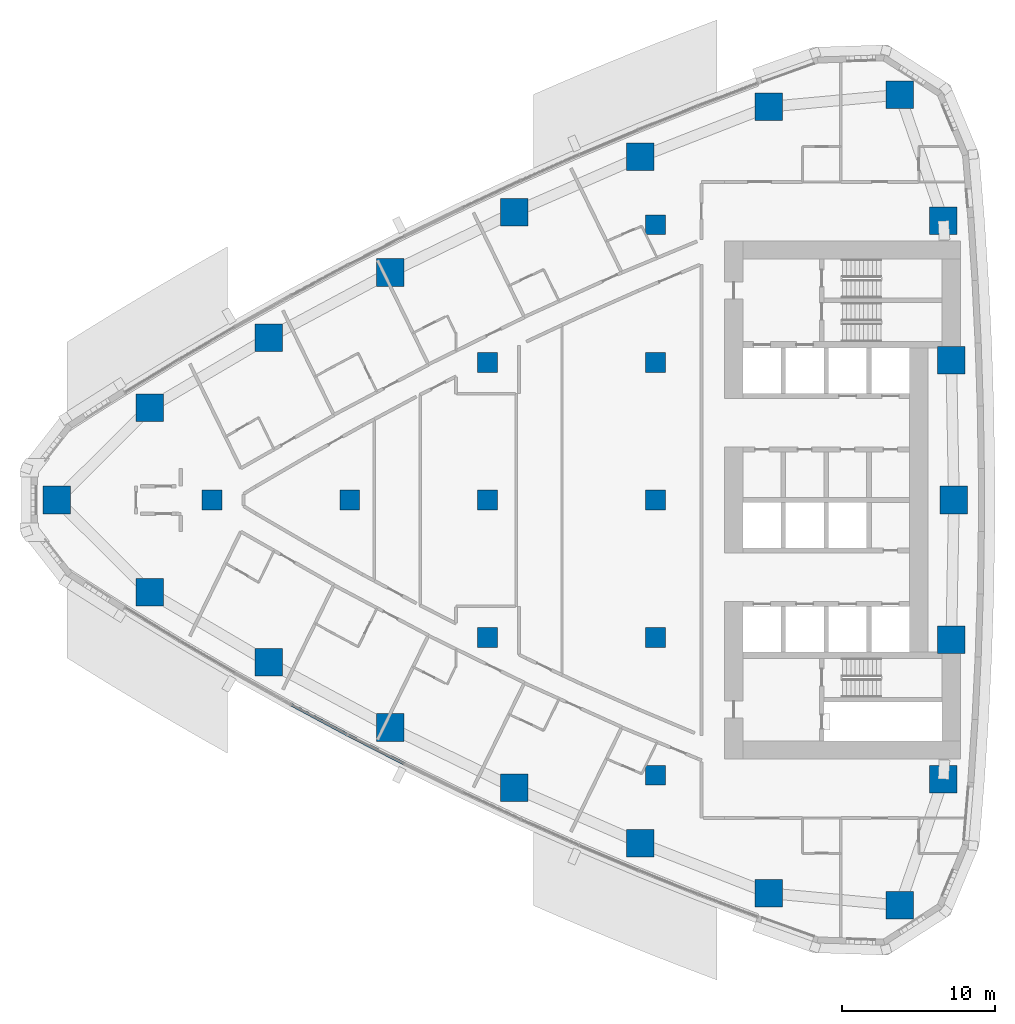
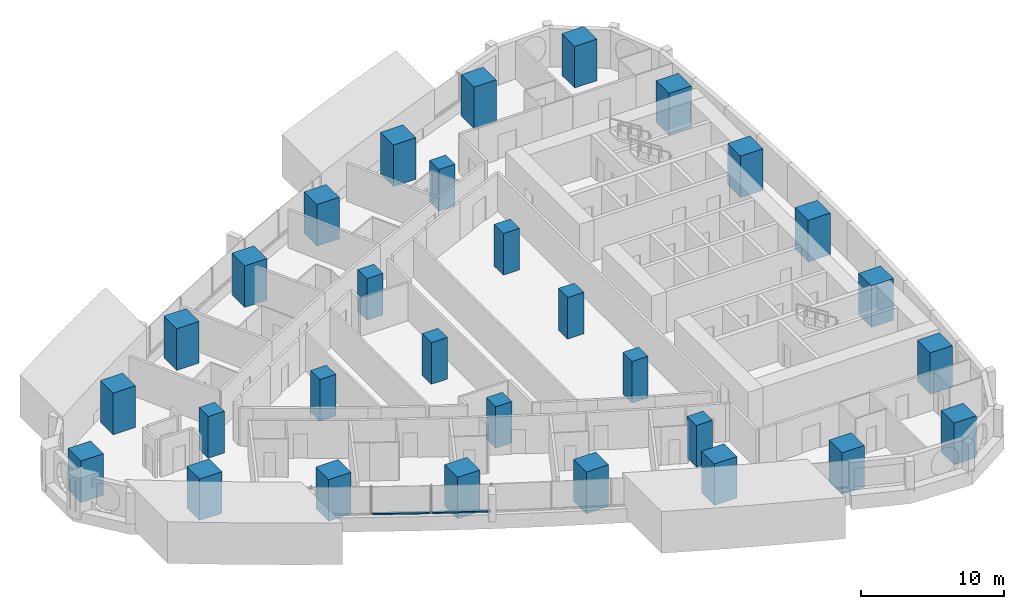
# One storey, part 1 of 19: 30 columns, 2 members, 1 element without a shape of its own.
"""IFC4 building model written with IfcOpenShell, lengths in metres."""

from ifc_helpers import new_model, si_unit, direction, frame, origin, origin_2d, place, context, subcontext, project, spatial, rectangle, extrude, material, layer, layer_set, material_profile, profile_set, type_object, element, aggregate, save


model = new_model("IFC4")

# Units and contexts
model_context = context("Model", 3, precision=1e-05, world=origin(), true_north=direction((0.0, 1.0)))
body_context = subcontext(model_context, "Body", "Model", "MODEL_VIEW")
ifc_project = project(units=[si_unit("LENGTHUNIT", "METRE"), si_unit("AREAUNIT", "SQUARE_METRE"), si_unit("VOLUMEUNIT", "CUBIC_METRE"), si_unit("PLANEANGLEUNIT", "RADIAN"), si_unit("MASSUNIT", "GRAM", prefix="KILO")], contexts=[model_context])

# Site, building, storey
site_placement = place(None, origin())
site = spatial("IfcSite", under=ifc_project, at=site_placement, CompositionType="ELEMENT")
building_placement = place(site_placement, origin())
building = spatial("IfcBuilding", under=site, at=building_placement, Name="Ostrand Prow Hotel Tower", CompositionType="ELEMENT")
storey_placement = place(building_placement, frame((0.0, 0.0, 68.0)))
storey = spatial("IfcBuildingStorey", under=building, at=storey_placement, Name="L15", CompositionType="ELEMENT", Elevation=68.0)

# Columns
ifc_material_1 = material(Name="Concrete C80/95", Category="concrete")
ifc_material_profile_1 = material_profile(ifc_material_1, rectangle(XDim=1.300048828125, YDim=1.300048828125, at=origin_2d()), Name="RC 1300x1300")
ifc_profile_set_1 = profile_set([ifc_material_profile_1], Name="Concrete C80/95")
column_type_1 = type_object("IfcColumnType", Name="Interior column 1300x1300 C80/95", PredefinedType="COLUMN", material=ifc_profile_set_1)
for number, where, z_axis, x_axis, name in (
    (1, (16.0, 0.0, 0.0), (0.0, 0.0, 1.0), (1.0, 0.0, 0.0), "Interior column 16C0"),
    (2, (25.0, 0.0, 0.0), (0.0, 0.0, 1.0), (1.0, 0.0, 0.0), "Interior column 25C0"),
    (3, (34.0, -9.0, 0.0), (0.0, 0.0, 1.0), (1.0, 0.0, 0.0), "Interior column 34S9"),
    (4, (34.0, 0.0, 0.0), (0.0, 0.0, 1.0), (1.0, 0.0, 0.0), "Interior column 34C0"),
    (5, (34.0, 9.0, 0.0), (0.0, 0.0, 1.0), (1.0, 0.0, 0.0), "Interior column 34N9"),
    (6, (45.0, -18.0, 0.0), (0.0, 0.0, 1.0), (1.0, 0.0, 0.0), "Interior column 45S18"),
    (7, (45.0, -9.0, 0.0), (0.0, 0.0, 1.0), (1.0, 0.0, 0.0), "Interior column 45S9"),
    (8, (45.0, 0.0, 0.0), (0.0, 0.0, 1.0), (1.0, 0.0, 0.0), "Interior column 45C0"),
    (9, (45.0, 9.0, 0.0), (0.0, 0.0, 1.0), (1.0, 0.0, 0.0), "Interior column 45N9"),
    (10, (45.0, 18.0, 0.0), (0.0, 0.0, 1.0), (1.0, 0.0, 0.0), "Interior column 45N18"),
):
    element("IfcColumn", number, at=place(storey_placement, frame(where, z_axis=z_axis, x_axis=x_axis)), inside=storey, type_object=column_type_1, Name=name, PredefinedType="COLUMN", context=body_context, shape_type="SweptSolid", body=[
        extrude(rectangle(XDim=1.300048828125, YDim=1.300048828125, at=origin_2d()), origin(), (0.0, 0.0, 1.0), 3.550048828125),
    ])
ifc_material_2 = material(Name="Concrete C80/95", Category="concrete")
ifc_material_profile_2 = material_profile(ifc_material_2, rectangle(XDim=1.800048828125, YDim=1.800048828125, at=origin_2d()), Name="RC 1800x1800")
ifc_profile_set_2 = profile_set([ifc_material_profile_2], Name="Concrete C80/95")
column_type_2 = type_object("IfcColumnType", Name="Stone-faced mega column 1800x1800 C80/95", PredefinedType="COLUMN", material=ifc_profile_set_2)
for number, where, z_axis, x_axis, name in (
    (11, (5.848388671875, 0.0, 0.0), (0.0, 0.0, 1.0), (1.0, 0.0, 0.0), "Mega column P"),
    (12, (11.926513671875, -6.0419921875, 0.0), (0.0, 0.0, 1.0), (1.0, 0.0, 0.0), "Mega column S1"),
    (13, (19.69287109375, -10.61474609375, 0.0), (0.0, 0.0, 1.0), (1.0, 0.0, 0.0), "Mega column S2"),
    (14, (27.635498046875, -14.874267578125, 0.0), (0.0, 0.0, 1.0), (1.0, 0.0, 0.0), "Mega column S3"),
    (15, (35.7412109375, -18.814208984375, 0.0), (0.0, 0.0, 1.0), (1.0, 0.0, 0.0), "Mega column S4"),
    (16, (43.997802734375, -22.427978515625, 0.0), (0.0, 0.0, 1.0), (1.0, 0.0, 0.0), "Mega column S5"),
    (17, (52.3916015625, -25.710205078125, 0.0), (0.0, 0.0, 1.0), (1.0, 0.0, 0.0), "Mega column S6"),
    (18, (60.966064453125, -26.49853515625, 0.0), (0.0, 0.0, 1.0), (1.0, 0.0, 0.0), "Mega column SE"),
    (19, (63.8134765625, -18.248779296875, 0.0), (0.0, 0.0, 1.0), (1.0, 0.0, 0.0), "Mega column B1"),
    (20, (64.328369140625, -9.130859375, 0.0), (0.0, 0.0, 1.0), (1.0, 0.0, 0.0), "Mega column B2"),
    (21, (64.5, 0.0, 0.0), (0.0, 0.0, 1.0), (1.0, 0.0, 0.0), "Mega column B3"),
    (22, (64.328369140625, 9.130859375, 0.0), (0.0, 0.0, 1.0), (1.0, 0.0, 0.0), "Mega column B4"),
    (23, (63.8134765625, 18.248779296875, 0.0), (0.0, 0.0, 1.0), (1.0, 0.0, 0.0), "Mega column B5"),
    (24, (60.966064453125, 26.49853515625, 0.0), (0.0, 0.0, 1.0), (1.0, 0.0, 0.0), "Mega column NE"),
    (25, (52.3916015625, 25.710205078125, 0.0), (0.0, 0.0, 1.0), (1.0, 0.0, 0.0), "Mega column N1"),
    (26, (43.997802734375, 22.427978515625, 0.0), (0.0, 0.0, 1.0), (1.0, 0.0, 0.0), "Mega column N2"),
    (27, (35.7412109375, 18.814208984375, 0.0), (0.0, 0.0, 1.0), (1.0, 0.0, 0.0), "Mega column N3"),
    (28, (27.635498046875, 14.874267578125, 0.0), (0.0, 0.0, 1.0), (1.0, 0.0, 0.0), "Mega column N4"),
    (29, (19.69287109375, 10.61474609375, 0.0), (0.0, 0.0, 1.0), (1.0, 0.0, 0.0), "Mega column N5"),
    (30, (11.926513671875, 6.0419921875, 0.0), (0.0, 0.0, 1.0), (1.0, 0.0, 0.0), "Mega column N6"),
):
    element("IfcColumn", number, at=place(storey_placement, frame(where, z_axis=z_axis, x_axis=x_axis)), inside=storey, type_object=column_type_2, Name=name, PredefinedType="COLUMN", context=body_context, shape_type="SweptSolid", body=[
        extrude(rectangle(XDim=1.800048828125, YDim=1.800048828125, at=origin_2d()), origin(), (0.0, 0.0, 1.0), 3.550048828125),
    ])

# Curtain wall, members
ifc_material_3 = material(Name="Insulated glass in bronze anodised frame", Category="glass")
ifc_layer = layer(ifc_material_3, 0.199951171875)
ifc_layer_set = layer_set([ifc_layer], Name="Insulated glass in bronze anodised frame")
curtain_wall_type = type_object("IfcCurtainWallType", Name="Strip curtain wall, fritted glass over bronze spandrel", PredefinedType="NOTDEFINED", material=ifc_layer_set)
curtain_wall_placement = place(storey_placement, origin())
curtain_wall = element("IfcCurtainWall", 31, at=curtain_wall_placement, inside=storey, type_object=curtain_wall_type, Name="CW1 run CWS2", PredefinedType="NOTDEFINED")
ifc_material_4 = material(Name="Bronze anodised aluminium", Category="aluminium")
ifc_material_profile_3 = material_profile(ifc_material_4, rectangle(XDim=0.199951171875, YDim=0.1201171875, at=origin_2d()), Name="Transom 120x200 bronze anodised aluminium")
ifc_profile_set_3 = profile_set([ifc_material_profile_3], Name="Bronze anodised aluminium")
member_type = type_object("IfcMemberType", Name="Transom 120x200 bronze anodised aluminium", PredefinedType="USERDEFINED", material=ifc_profile_set_3)
member_1_placement = place(storey_placement, frame((21.187255859375, -13.386962890625, 0.9599609375), z_axis=(0.881657241639, -0.471890356191, 0.0), x_axis=(0.471890356191, 0.881657241639, 0.0)))
member_1 = element("IfcMember", 32, at=member_1_placement, type_object=member_type, Name="CW1 transom 2.1", ObjectType="TRANSOM", PredefinedType="USERDEFINED", context=body_context, shape_type="SweptSolid", body=[
    extrude(rectangle(XDim=0.199951171875, YDim=0.1201171875, at=origin_2d()), origin(), (0.0, 0.0, 1.0), 4.13427734375),
])
member_2_placement = place(storey_placement, frame((24.885498046875, -15.36572265625, 0.9599609375), z_axis=(0.890182999343, -0.455603147136, 0.0), x_axis=(0.455603147136, 0.890182999343, 0.0)))
member_2 = element("IfcMember", 33, at=member_2_placement, type_object=member_type, Name="CW1 transom 3.1", ObjectType="TRANSOM", PredefinedType="USERDEFINED", context=body_context, shape_type="SweptSolid", body=[
    extrude(rectangle(XDim=0.199951171875, YDim=0.1201171875, at=origin_2d()), origin(), (0.0, 0.0, 1.0), 4.13427734375),
])
aggregate(curtain_wall, [member_1, member_2])

save(model, "model.ifc")
